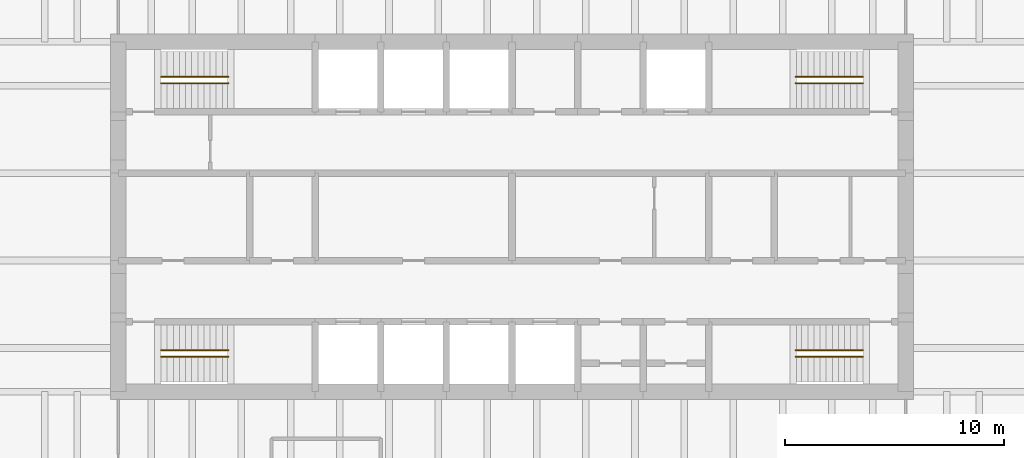
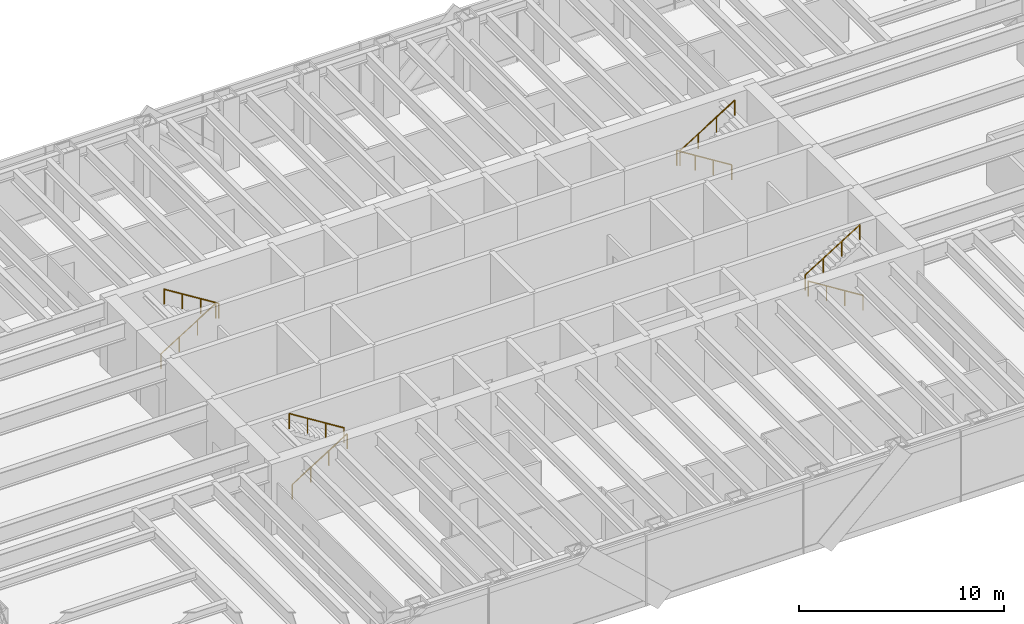
# One storey, part 15 of 15: 8 railings.
"""IFC4 building model written with IfcOpenShell, lengths in metres."""

from ifc_helpers import new_model, si_unit, direction, frame, origin, origin_2d, place, context, subcontext, project, spatial, circle, extrude, material, type_object, element, save


model = new_model("IFC4")

# Units and contexts
model_context = context("Model", 3, precision=1e-05, world=origin(), true_north=direction((0.0, 1.0)))
body_context = subcontext(model_context, "Body", "Model", "MODEL_VIEW")
ifc_project = project(units=[si_unit("LENGTHUNIT", "METRE"), si_unit("AREAUNIT", "SQUARE_METRE"), si_unit("VOLUMEUNIT", "CUBIC_METRE"), si_unit("PLANEANGLEUNIT", "RADIAN"), si_unit("MASSUNIT", "GRAM", prefix="KILO")], contexts=[model_context])

# Site, building, storey
site_placement = place(None, origin())
site = spatial("IfcSite", under=ifc_project, at=site_placement, CompositionType="ELEMENT")
building_placement = place(site_placement, origin())
building = spatial("IfcBuilding", under=site, at=building_placement, Name="Rheinbord Bourse Tower", CompositionType="ELEMENT")
storey_placement = place(building_placement, frame((0.0, 0.0, 279.5)))
storey = spatial("IfcBuildingStorey", under=building, at=storey_placement, Name="L63", CompositionType="ELEMENT", Elevation=279.5)

# Railings
ifc_material = material(Name="Steel handrail", Category="steel")
railing_type = type_object("IfcRailingType", Name="HANDRAIL 900", PredefinedType="HANDRAIL", material=ifc_material)
railing_1_placement = place(storey_placement, frame((19.949951171875, 17.60009765625, 0.175048828125)))
element("IfcRailing", 1, at=railing_1_placement, inside=storey, type_object=railing_type, Name="Handrail", PredefinedType="HANDRAIL", context=body_context, shape_type="SweptSolid", body=[
    extrude(circle(Radius=0.02392578125, at=origin_2d()), frame((0.0, 0.0, 0.8759765625), z_axis=(0.847998304005, 0.0, 0.529998940003), x_axis=(0.0, 1.0, 0.0)), (0.0, 0.0, 1.0), 3.632080078125),
    extrude(circle(Radius=0.02099609375, at=origin_2d()), origin(), (0.0, 0.0, 1.0), 0.851806640625),
    extrude(circle(Radius=0.02099609375, at=origin_2d()), frame((1.026611328125, 0.0, 0.6416015625)), (0.0, 0.0, 1.0), 0.851806640625),
    extrude(circle(Radius=0.02099609375, at=origin_2d()), frame((2.053466796875, 0.0, 1.283447265625)), (0.0, 0.0, 1.0), 0.851806640625),
    extrude(circle(Radius=0.02099609375, at=origin_2d()), frame((3.080078125, 0.0, 1.925048828125)), (0.0, 0.0, 1.0), 0.851806640625),
])
railing_2_placement = place(storey_placement, frame((23.030029296875, 17.89990234375, 2.27490234375)))
element("IfcRailing", 2, at=railing_2_placement, inside=storey, type_object=railing_type, Name="Handrail", PredefinedType="HANDRAIL", context=body_context, shape_type="SweptSolid", body=[
    extrude(circle(Radius=0.02392578125, at=origin_2d()), frame((0.0, 0.0, 0.8759765625), z_axis=(-0.847998304005, 0.0, 0.529998940003), x_axis=(0.0, -1.0, 0.0)), (0.0, 0.0, 1.0), 3.632080078125),
    extrude(circle(Radius=0.02099609375, at=origin_2d()), origin(), (0.0, 0.0, 1.0), 0.851806640625),
    extrude(circle(Radius=0.02099609375, at=origin_2d()), frame((-1.026611328125, 0.0, 0.6416015625)), (0.0, 0.0, 1.0), 0.851806640625),
    extrude(circle(Radius=0.02099609375, at=origin_2d()), frame((-2.053466796875, 0.0, 1.283447265625)), (0.0, 0.0, 1.0), 0.851806640625),
    extrude(circle(Radius=0.02099609375, at=origin_2d()), frame((-3.080078125, 0.0, 1.925048828125)), (0.0, 0.0, 1.0), 0.851806640625),
])
railing_3_placement = place(storey_placement, frame((19.949951171875, 30.39990234375, 0.175048828125)))
element("IfcRailing", 3, at=railing_3_placement, inside=storey, type_object=railing_type, Name="Handrail", PredefinedType="HANDRAIL", context=body_context, shape_type="SweptSolid", body=[
    extrude(circle(Radius=0.02392578125, at=origin_2d()), frame((0.0, 0.0, 0.8759765625), z_axis=(0.847998304005, 0.0, 0.529998940003), x_axis=(0.0, 1.0, 0.0)), (0.0, 0.0, 1.0), 3.632080078125),
    extrude(circle(Radius=0.02099609375, at=origin_2d()), origin(), (0.0, 0.0, 1.0), 0.851806640625),
    extrude(circle(Radius=0.02099609375, at=origin_2d()), frame((1.026611328125, 0.0, 0.6416015625)), (0.0, 0.0, 1.0), 0.851806640625),
    extrude(circle(Radius=0.02099609375, at=origin_2d()), frame((2.053466796875, 0.0, 1.283447265625)), (0.0, 0.0, 1.0), 0.851806640625),
    extrude(circle(Radius=0.02099609375, at=origin_2d()), frame((3.080078125, 0.0, 1.925048828125)), (0.0, 0.0, 1.0), 0.851806640625),
])
for number, where, name in (
    (4, (23.030029296875, 30.10009765625, 2.27490234375), "Handrail"),
    (5, (52.050048828125, 17.60009765625, 0.175048828125), "Handrail"),
):
    element("IfcRailing", number, at=place(storey_placement, frame(where)), inside=storey, type_object=railing_type, Name=name, PredefinedType="HANDRAIL", context=body_context, shape_type="SweptSolid", body=[
        extrude(circle(Radius=0.02392578125, at=origin_2d()), frame((0.0, 0.0, 0.8759765625), z_axis=(-0.847998304005, 0.0, 0.529998940003), x_axis=(0.0, -1.0, 0.0)), (0.0, 0.0, 1.0), 3.632080078125),
        extrude(circle(Radius=0.02099609375, at=origin_2d()), origin(), (0.0, 0.0, 1.0), 0.851806640625),
        extrude(circle(Radius=0.02099609375, at=origin_2d()), frame((-1.026611328125, 0.0, 0.6416015625)), (0.0, 0.0, 1.0), 0.851806640625),
        extrude(circle(Radius=0.02099609375, at=origin_2d()), frame((-2.053466796875, 0.0, 1.283447265625)), (0.0, 0.0, 1.0), 0.851806640625),
        extrude(circle(Radius=0.02099609375, at=origin_2d()), frame((-3.080078125, 0.0, 1.925048828125)), (0.0, 0.0, 1.0), 0.851806640625),
    ])
railing_4_placement = place(storey_placement, frame((48.969970703125, 17.89990234375, 2.27490234375)))
element("IfcRailing", 6, at=railing_4_placement, inside=storey, type_object=railing_type, Name="Handrail", PredefinedType="HANDRAIL", context=body_context, shape_type="SweptSolid", body=[
    extrude(circle(Radius=0.02392578125, at=origin_2d()), frame((0.0, 0.0, 0.8759765625), z_axis=(0.847998304005, 0.0, 0.529998940003), x_axis=(0.0, 1.0, 0.0)), (0.0, 0.0, 1.0), 3.632080078125),
    extrude(circle(Radius=0.02099609375, at=origin_2d()), origin(), (0.0, 0.0, 1.0), 0.851806640625),
    extrude(circle(Radius=0.02099609375, at=origin_2d()), frame((1.026611328125, 0.0, 0.6416015625)), (0.0, 0.0, 1.0), 0.851806640625),
    extrude(circle(Radius=0.02099609375, at=origin_2d()), frame((2.053466796875, 0.0, 1.283447265625)), (0.0, 0.0, 1.0), 0.851806640625),
    extrude(circle(Radius=0.02099609375, at=origin_2d()), frame((3.080078125, 0.0, 1.925048828125)), (0.0, 0.0, 1.0), 0.851806640625),
])
railing_5_placement = place(storey_placement, frame((52.050048828125, 30.39990234375, 0.175048828125)))
element("IfcRailing", 7, at=railing_5_placement, inside=storey, type_object=railing_type, Name="Handrail", PredefinedType="HANDRAIL", context=body_context, shape_type="SweptSolid", body=[
    extrude(circle(Radius=0.02392578125, at=origin_2d()), frame((0.0, 0.0, 0.8759765625), z_axis=(-0.847998304005, 0.0, 0.529998940003), x_axis=(0.0, -1.0, 0.0)), (0.0, 0.0, 1.0), 3.632080078125),
    extrude(circle(Radius=0.02099609375, at=origin_2d()), origin(), (0.0, 0.0, 1.0), 0.851806640625),
    extrude(circle(Radius=0.02099609375, at=origin_2d()), frame((-1.026611328125, 0.0, 0.6416015625)), (0.0, 0.0, 1.0), 0.851806640625),
    extrude(circle(Radius=0.02099609375, at=origin_2d()), frame((-2.053466796875, 0.0, 1.283447265625)), (0.0, 0.0, 1.0), 0.851806640625),
    extrude(circle(Radius=0.02099609375, at=origin_2d()), frame((-3.080078125, 0.0, 1.925048828125)), (0.0, 0.0, 1.0), 0.851806640625),
])
railing_6_placement = place(storey_placement, frame((48.969970703125, 30.10009765625, 2.27490234375)))
element("IfcRailing", 8, at=railing_6_placement, inside=storey, type_object=railing_type, Name="Handrail", PredefinedType="HANDRAIL", context=body_context, shape_type="SweptSolid", body=[
    extrude(circle(Radius=0.02392578125, at=origin_2d()), frame((0.0, 0.0, 0.8759765625), z_axis=(0.847998304005, 0.0, 0.529998940003), x_axis=(0.0, 1.0, 0.0)), (0.0, 0.0, 1.0), 3.632080078125),
    extrude(circle(Radius=0.02099609375, at=origin_2d()), origin(), (0.0, 0.0, 1.0), 0.851806640625),
    extrude(circle(Radius=0.02099609375, at=origin_2d()), frame((1.026611328125, 0.0, 0.6416015625)), (0.0, 0.0, 1.0), 0.851806640625),
    extrude(circle(Radius=0.02099609375, at=origin_2d()), frame((2.053466796875, 0.0, 1.283447265625)), (0.0, 0.0, 1.0), 0.851806640625),
    extrude(circle(Radius=0.02099609375, at=origin_2d()), frame((3.080078125, 0.0, 1.925048828125)), (0.0, 0.0, 1.0), 0.851806640625),
])

save(model, "model.ifc")
